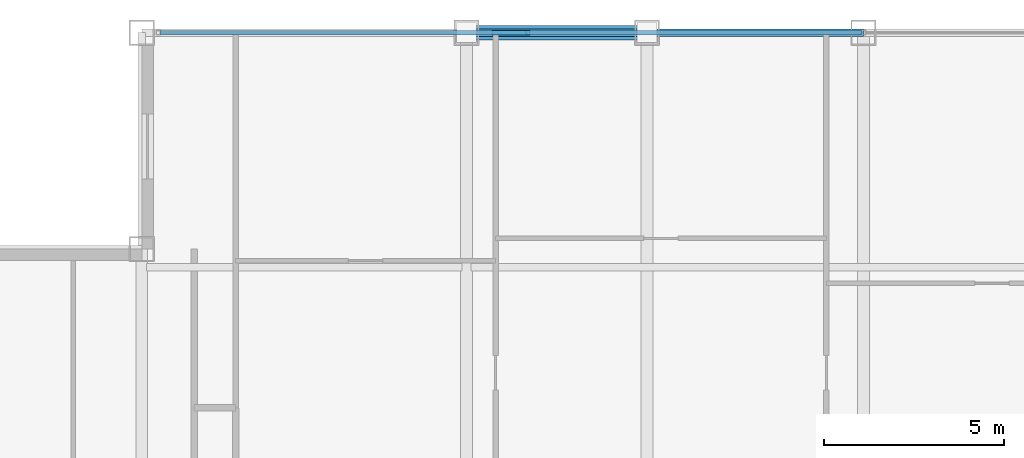
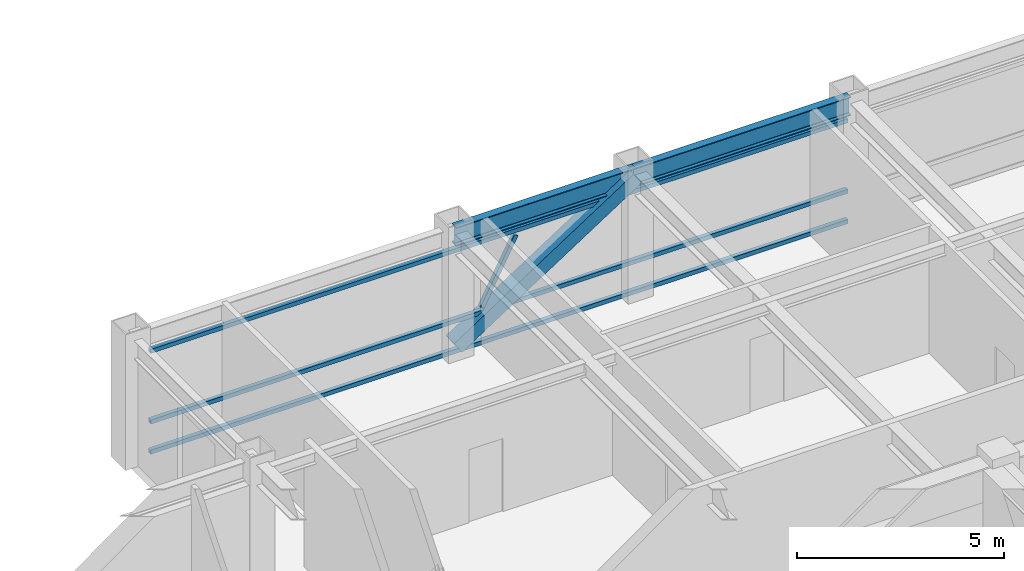
# One storey, part 17 of 29: 5 members, 2 beams, 1 element without a shape of its own.
"""IFC4 building model written with IfcOpenShell, lengths in metres."""

from ifc_helpers import new_model, si_unit, direction, frame, origin, origin_2d, place, context, subcontext, project, spatial, hollow_rectangle, i_section, extrude, source, transform, mapped, material, material_profile, profile_set, type_object, element, aggregate, save


model = new_model("IFC4")

# Units and contexts
model_context = context("Model", 3, precision=1e-05, world=origin(), true_north=direction((0.0, 1.0)))
body_context = subcontext(model_context, "Body", "Model", "MODEL_VIEW")
ifc_project = project(units=[si_unit("LENGTHUNIT", "METRE"), si_unit("AREAUNIT", "SQUARE_METRE"), si_unit("VOLUMEUNIT", "CUBIC_METRE"), si_unit("PLANEANGLEUNIT", "RADIAN"), si_unit("MASSUNIT", "GRAM", prefix="KILO")], contexts=[model_context])

# Site, building, storey
site_placement = place(None, origin())
site = spatial("IfcSite", under=ifc_project, at=site_placement, CompositionType="ELEMENT")
building_placement = place(site_placement, origin())
building = spatial("IfcBuilding", under=site, at=building_placement, Name="Khorayat Bourse Tower", CompositionType="ELEMENT")
storey_placement = place(building_placement, frame((0.0, 0.0, 358.300048828125)))
storey = spatial("IfcBuildingStorey", under=building, at=storey_placement, Name="L85", CompositionType="ELEMENT", Elevation=358.300048828125)

# Beams
ifc_material_1 = material(Name="Steel ASTM A992 Grade 50", Category="steel")
ifc_material_profile_1 = material_profile(ifc_material_1, i_section(OverallWidth=0.214111328125, OverallDepth=0.549072265625, WebThickness=0.0146484375, FlangeThickness=0.023681640625, FilletRadius=0.013916015625, at=origin_2d()), Name="W530X138")
ifc_profile_set_1 = profile_set([ifc_material_profile_1], Name="Steel ASTM A992 Grade 50")
beam_type = type_object("IfcBeamType", Name="BM-SPAN-530", PredefinedType="SPANDREL", material=ifc_profile_set_1)
shared_shape_1 = source(origin(), body_context, "Body", "SweptSolid", [
    extrude(i_section(OverallWidth=0.214111328125, OverallDepth=0.549072265625, WebThickness=0.0146484375, FlangeThickness=0.023681640625, FilletRadius=0.013916015625, at=origin_2d()), origin(), (0.0, 0.0, 1.0), 5.0),
])
beam_1_placement = place(storey_placement, frame((-11.0, 26.0, 3.46533203125), z_axis=(1.0, 0.0, 0.0), x_axis=(0.0, 1.0, 0.0)))
element("IfcBeam", 1, at=beam_1_placement, inside=storey, type_object=beam_type, Name="L85 BM-SPAN-530 BM-L85-SPN-044", PredefinedType="SPANDREL", context=body_context, shape_type="MappedRepresentation", body=[
    mapped(shared_shape_1, transform((0.0, 0.0, 0.0), scale=1.0)),
])
shared_shape_2 = source(origin(), body_context, "Body", "SweptSolid", [
    extrude(i_section(OverallWidth=0.214111328125, OverallDepth=0.549072265625, WebThickness=0.0146484375, FlangeThickness=0.023681640625, FilletRadius=0.013916015625, at=origin_2d()), origin(), (0.0, 0.0, 1.0), 6.0),
])
beam_2_placement = place(storey_placement, frame((-6.0, 26.0, 3.46533203125), z_axis=(1.0, 0.0, 0.0), x_axis=(0.0, 1.0, 0.0)))
element("IfcBeam", 2, at=beam_2_placement, inside=storey, type_object=beam_type, Name="L85 BM-SPAN-530 BM-L85-SPN-043", PredefinedType="SPANDREL", context=body_context, shape_type="MappedRepresentation", body=[
    mapped(shared_shape_2, transform((0.0, 0.0, 0.0), scale=1.0)),
])

# Member
ifc_material_2 = material(Name="Steel EN 10025-4 S460M", Category="steel")
ifc_material_profile_2 = material_profile(ifc_material_2, hollow_rectangle(XDim=0.39990234375, YDim=0.39990234375, WallThickness=0.02197265625, at=origin_2d()), Name="HSS 400x400x22")
ifc_profile_set_2 = profile_set([ifc_material_profile_2], Name="Steel EN 10025-4 S460M")
member_type_1 = type_object("IfcMemberType", Name="MBR-TUBE-400", PredefinedType="BRACE", material=ifc_profile_set_2)
shared_shape_3 = source(origin(), body_context, "Body", "SweptSolid", [
    extrude(hollow_rectangle(XDim=0.39990234375, YDim=0.39990234375, WallThickness=0.02197265625, at=origin_2d()), origin(), (0.0, 0.0, 1.0), 5.9580078125),
])
member_1_placement = place(storey_placement, frame((-11.0, 26.0, 0.25), z_axis=(0.839210474455, 0.0, 0.543806748364), x_axis=(0.0, 1.0, 0.0)))
element("IfcMember", 3, at=member_1_placement, inside=storey, type_object=member_type_1, Name="L85 Perimeter Tube Brace 03", PredefinedType="BRACE", context=body_context, shape_type="MappedRepresentation", body=[
    mapped(shared_shape_3, transform((0.0, 0.0, 0.0), scale=1.0)),
])

# Curtain wall, members
ifc_material_3 = material(Name="Aluminium EN AW-6063 T6", Category="aluminium")
curtain_wall_type = type_object("IfcCurtainWallType", Name="CW-SYS-04", PredefinedType="NOTDEFINED", material=ifc_material_3)
curtain_wall_placement = place(storey_placement, origin())
curtain_wall = element("IfcCurtainWall", 4, at=curtain_wall_placement, inside=storey, type_object=curtain_wall_type, Name="L85 Curtain Wall CW-L85-N1", PredefinedType="NOTDEFINED")
ifc_material_profile_3 = material_profile(ifc_material_3, hollow_rectangle(XDim=0.1201171875, YDim=0.1201171875, WallThickness=0.0048828125, at=origin_2d()), Name="ALU 120x120x5")
ifc_profile_set_3 = profile_set([ifc_material_profile_3], Name="Aluminium EN AW-6063 T6")
member_type_2 = type_object("IfcMemberType", Name="CWM-DIAG-120", PredefinedType="MULLION", material=ifc_profile_set_3)
shared_shape_4 = source(origin(), body_context, "Body", "SweptSolid", [
    extrude(hollow_rectangle(XDim=0.1201171875, YDim=0.1201171875, WallThickness=0.0048828125, at=origin_2d()), origin(), (0.0, 0.0, 1.0), 2.0341796875),
])
member_2_placement = place(storey_placement, frame((-10.24365234375, 26.0, 1.08984375), z_axis=(0.465696964104, 0.0, 0.884944256789), x_axis=(0.0, 1.0, 0.0)))
member_2 = element("IfcMember", 5, at=member_2_placement, type_object=member_type_2, Name="CW-L85-N1 Faceted Diagonal Mullion 1", PredefinedType="MULLION", context=body_context, shape_type="MappedRepresentation", body=[
    mapped(shared_shape_4, transform((0.0, 0.0, 0.0), scale=1.0)),
])
ifc_material_profile_4 = material_profile(ifc_material_3, hollow_rectangle(XDim=0.1201171875, YDim=0.1201171875, WallThickness=0.0048828125, at=origin_2d()), Name="ALU 120x120x5")
ifc_profile_set_4 = profile_set([ifc_material_profile_4], Name="Aluminium EN AW-6063 T6")
member_type_3 = type_object("IfcMemberType", Name="CWT-HORZ-120", PredefinedType="USERDEFINED", material=ifc_profile_set_4)
shared_shape_5 = source(origin(), body_context, "Body", "SweptSolid", [
    extrude(hollow_rectangle(XDim=0.1201171875, YDim=0.1201171875, WallThickness=0.0048828125, at=origin_2d()), origin(), (0.0, 0.0, 1.0), 19.419921875),
])
member_3_placement = place(storey_placement, frame((-19.47998046875, 26.0, 0.06005859375), z_axis=(1.0, 0.0, 0.0), x_axis=(0.0, 1.0, 0.0)))
member_3 = element("IfcMember", 6, at=member_3_placement, type_object=member_type_3, Name="CW-L85-N1 Horizontal Transom 1-1", ObjectType="TRANSOM", PredefinedType="USERDEFINED", context=body_context, shape_type="MappedRepresentation", body=[
    mapped(shared_shape_5, transform((0.0, 0.0, 0.0), scale=1.0)),
])
member_4_placement = place(storey_placement, frame((-19.47998046875, 26.0, 0.949951171875), z_axis=(1.0, 0.0, 0.0), x_axis=(0.0, 1.0, 0.0)))
member_4 = element("IfcMember", 7, at=member_4_placement, type_object=member_type_3, Name="CW-L85-N1 Horizontal Transom 1-2", ObjectType="TRANSOM", PredefinedType="USERDEFINED", context=body_context, shape_type="MappedRepresentation", body=[
    mapped(shared_shape_5, transform((0.0, 0.0, 0.0), scale=1.0)),
])
member_5_placement = place(storey_placement, frame((-19.47998046875, 26.0, 3.030029296875), z_axis=(1.0, 0.0, 0.0), x_axis=(0.0, 1.0, 0.0)))
member_5 = element("IfcMember", 8, at=member_5_placement, type_object=member_type_3, Name="CW-L85-N1 Horizontal Transom 1-3", ObjectType="TRANSOM", PredefinedType="USERDEFINED", context=body_context, shape_type="MappedRepresentation", body=[
    mapped(shared_shape_5, transform((0.0, 0.0, 0.0), scale=1.0)),
])
aggregate(curtain_wall, [member_3, member_4, member_5, member_2])

save(model, "model.ifc")
